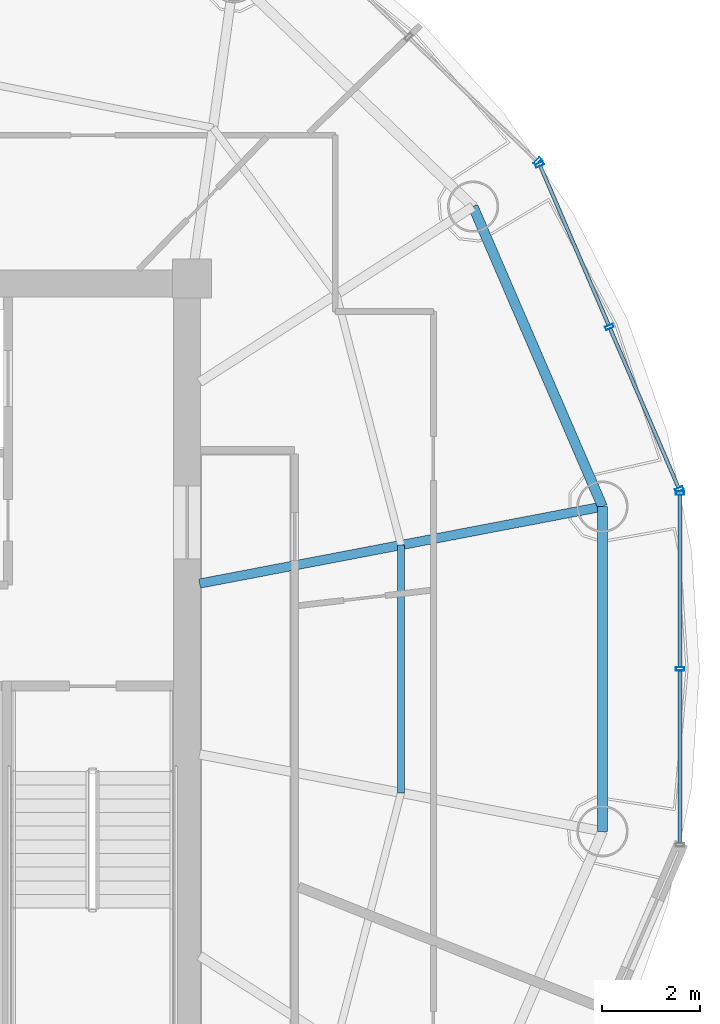
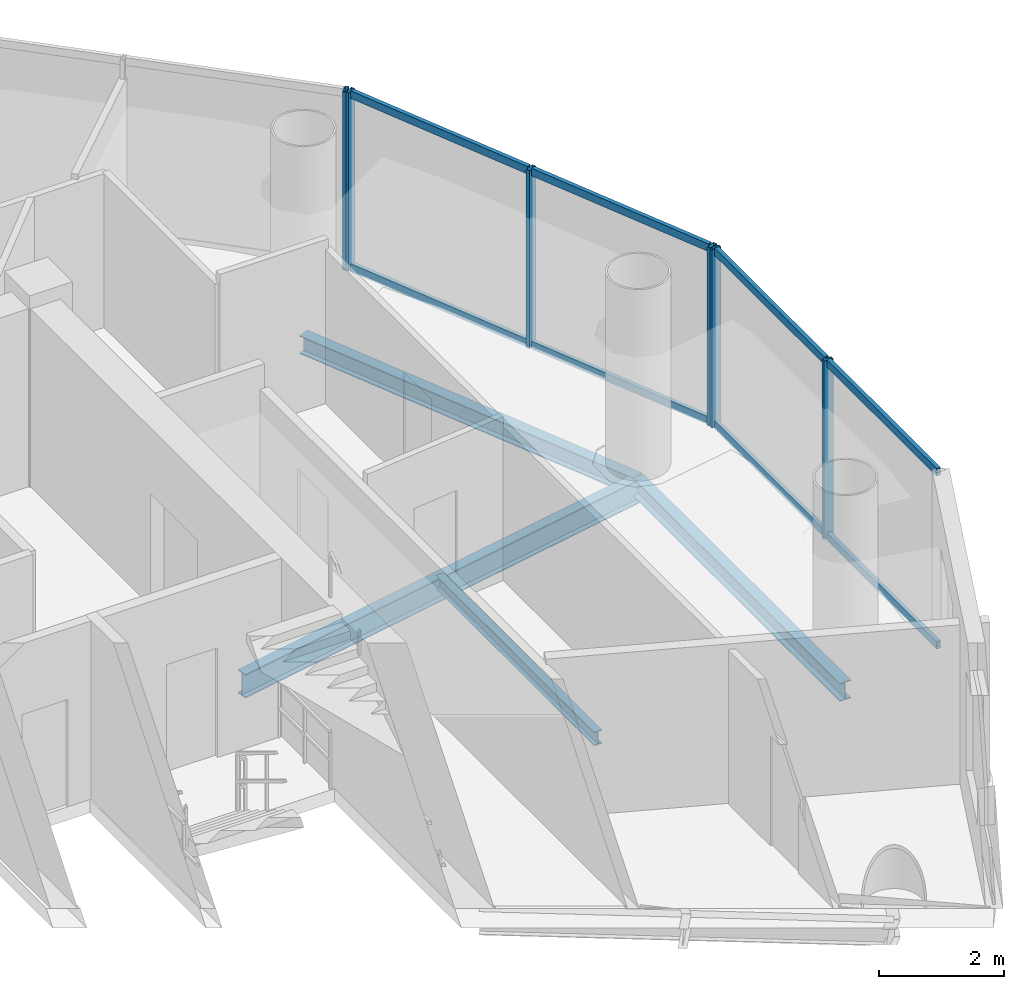
# One storey, part 12 of 24: 14 members, 4 beams, 3 elements without a shape of their own.
"""IFC4 building model written with IfcOpenShell, lengths in metres."""

from ifc_helpers import new_model, si_unit, direction, frame, origin, origin_2d, place, context, subcontext, project, spatial, hollow_rectangle, i_section, extrude, source, transform, mapped, material, material_profile, profile_set, type_object, element, aggregate, save


model = new_model("IFC4")

# Units and contexts
model_context = context("Model", 3, precision=1e-05, world=origin(), true_north=direction((-0.2419218956, 0.970295726276)))
body_context = subcontext(model_context, "Body", "Model", "MODEL_VIEW")
ifc_project = project(units=[si_unit("LENGTHUNIT", "METRE"), si_unit("AREAUNIT", "SQUARE_METRE"), si_unit("VOLUMEUNIT", "CUBIC_METRE"), si_unit("PLANEANGLEUNIT", "RADIAN"), si_unit("MASSUNIT", "GRAM", prefix="KILO")], contexts=[model_context])

# Site, building, storey
site_placement = place(None, origin())
site = spatial("IfcSite", under=ifc_project, at=site_placement, CompositionType="ELEMENT")
building_placement = place(site_placement, origin())
building = spatial("IfcBuilding", under=site, at=building_placement, Name="Cobrevalo Terracotta Tower", CompositionType="ELEMENT")
storey_placement = place(building_placement, frame((0.0, 0.0, 270.699951171875)))
storey = spatial("IfcBuildingStorey", under=building, at=storey_placement, Name="L71", CompositionType="ELEMENT", Elevation=270.699951171875)

# Beams
ifc_material_1 = material(Name="Steel S355", Category="steel")
ifc_material_profile_1 = material_profile(ifc_material_1, i_section(OverallWidth=0.19091796875, OverallDepth=0.4599609375, WebThickness=0.010009765625, FlangeThickness=0.01611328125, at=origin_2d()), Name="W 460x82")
ifc_profile_set_1 = profile_set([ifc_material_profile_1], Name="Steel S355")
beam_type_1 = type_object("IfcBeamType", Name="Structural Beam W 460x82 (Steel S355)", PredefinedType="BEAM", material=ifc_profile_set_1)
beam_1_placement = place(storey_placement, frame((55.408935546875, 30.126220703125, -0.489990234375), z_axis=(-0.982234917636, -0.187655446433, 0.0), x_axis=(0.187655446433, -0.982234917636, 0.0)))
element("IfcBeam", 1, at=beam_1_placement, inside=storey, type_object=beam_type_1, Name="L71 radial floor girder 01", PredefinedType="BEAM", context=body_context, shape_type="SweptSolid", body=[
    extrude(i_section(OverallWidth=0.19091796875, OverallDepth=0.4599609375, WebThickness=0.010009765625, FlangeThickness=0.01611328125, at=origin_2d()), origin(), (0.0, 0.0, 1.0), 8.403076171875),
])
ifc_material_profile_2 = material_profile(ifc_material_1, i_section(OverallWidth=0.14794921875, OverallDepth=0.26611328125, WebThickness=0.007568359375, FlangeThickness=0.012939453125, at=origin_2d()), Name="W 250x44.8")
ifc_profile_set_2 = profile_set([ifc_material_profile_2], Name="Steel S355")
beam_type_2 = type_object("IfcBeamType", Name="Structural Joist W 250x44.8 (Steel S355)", PredefinedType="JOIST", material=ifc_profile_set_2)
beam_2_placement = place(storey_placement, frame((51.281982421875, 24.26220703125, -0.39306640625), z_axis=(0.0, 1.0, 0.0), x_axis=(-1.0, 0.0, 0.0)))
element("IfcBeam", 2, at=beam_2_placement, inside=storey, type_object=beam_type_2, Name="L71 circumferential secondary floor joist 16", PredefinedType="JOIST", context=body_context, shape_type="SweptSolid", body=[
    extrude(i_section(OverallWidth=0.14794921875, OverallDepth=0.26611328125, WebThickness=0.007568359375, FlangeThickness=0.012939453125, at=origin_2d()), origin(), (0.0, 0.0, 1.0), 5.075439453125),
])
ifc_material_profile_3 = material_profile(ifc_material_1, i_section(OverallWidth=0.205078125, OverallDepth=0.35400390625, WebThickness=0.009521484375, FlangeThickness=0.016845703125, at=origin_2d()), Name="W 360x79")
ifc_profile_set_3 = profile_set([ifc_material_profile_3], Name="Steel S355")
beam_type_3 = type_object("IfcBeamType", Name="Structural Spandrel W 360x79 (Steel S355)", PredefinedType="SPANDREL", material=ifc_profile_set_3)
beam_3_placement = place(storey_placement, frame((55.408935546875, 30.126220703125, -0.43701171875), z_axis=(-0.395974127655, 0.918261667624, 0.0), x_axis=(-0.918261667624, -0.395974127655, 0.0)))
element("IfcBeam", 3, at=beam_3_placement, inside=storey, type_object=beam_type_3, Name="L71 perimeter ring spandrel 01", PredefinedType="SPANDREL", context=body_context, shape_type="SweptSolid", body=[
    extrude(i_section(OverallWidth=0.205078125, OverallDepth=0.35400390625, WebThickness=0.009521484375, FlangeThickness=0.016845703125, at=origin_2d()), origin(), (0.0, 0.0, 1.0), 6.693359375),
])
beam_4_placement = place(storey_placement, frame((55.408935546875, 23.4736328125, -0.43701171875), z_axis=(0.0, 1.0, 0.0), x_axis=(-1.0, 0.0, 0.0)))
element("IfcBeam", 4, at=beam_4_placement, inside=storey, type_object=beam_type_3, Name="L71 perimeter ring spandrel 16", PredefinedType="SPANDREL", context=body_context, shape_type="SweptSolid", body=[
    extrude(i_section(OverallWidth=0.205078125, OverallDepth=0.35400390625, WebThickness=0.009521484375, FlangeThickness=0.016845703125, at=origin_2d()), origin(), (0.0, 0.0, 1.0), 6.652587890625),
])

# Curtain wall, members
ifc_material_2 = material(Name="Anodized aluminium", Category="aluminium")
curtain_wall_type = type_object("IfcCurtainWallType", Name="Upper-tower triple-glazed penthouse curtain wall CW-U3", PredefinedType="NOTDEFINED", material=ifc_material_2)
curtain_wall_1_placement = place(storey_placement, origin())
curtain_wall_1 = element("IfcCurtainWall", 5, at=curtain_wall_1_placement, inside=storey, type_object=curtain_wall_type, Name="L71 curtain wall CW-L71-S01", PredefinedType="NOTDEFINED")
ifc_material_profile_4 = material_profile(ifc_material_2, hollow_rectangle(XDim=0.070068359375, YDim=0.169921875, WallThickness=0.00439453125, at=origin_2d()), Name="CWM 70x170")
ifc_profile_set_4 = profile_set([ifc_material_profile_4], Name="Anodized aluminium")
member_type_1 = type_object("IfcMemberType", Name="Upper tower unitised mullion 70x170", PredefinedType="MULLION", material=ifc_profile_set_4)
shared_shape_1 = source(origin(), body_context, "Body", "SweptSolid", [
    extrude(hollow_rectangle(XDim=0.070068359375, YDim=0.169921875, WallThickness=0.00439453125, at=origin_2d()), origin(), (0.0, 0.0, 1.0), 3.489990234375),
])
member_1_placement = place(storey_placement, frame((56.98193359375, 30.47900390625, 0.0), z_axis=(0.0, 0.0, 1.0), x_axis=(-0.39482403454, 0.91875675875, 0.0)))
member_1 = element("IfcMember", 6, at=member_1_placement, type_object=member_type_1, Name="CW-L71-S01 vertical mullion 01", PredefinedType="MULLION", context=body_context, shape_type="MappedRepresentation", body=[
    mapped(shared_shape_1, transform((0.0, 0.0, 0.0), scale=1.0)),
])
member_2_placement = place(storey_placement, frame((55.5517578125, 33.807373046875, 0.0), z_axis=(0.0, 0.0, 1.0), x_axis=(-0.39482403454, 0.91875675875, 0.0)))
member_2 = element("IfcMember", 7, at=member_2_placement, type_object=member_type_1, Name="CW-L71-S01 vertical mullion 02", PredefinedType="MULLION", context=body_context, shape_type="MappedRepresentation", body=[
    mapped(shared_shape_1, transform((0.0, 0.0, 0.0), scale=1.0)),
])
member_3_placement = place(storey_placement, frame((54.121337890625, 37.1357421875, 0.0), z_axis=(0.0, 0.0, 1.0), x_axis=(-0.39482403454, 0.91875675875, 0.0)))
member_3 = element("IfcMember", 8, at=member_3_placement, type_object=member_type_1, Name="CW-L71-S01 vertical mullion 03", PredefinedType="MULLION", context=body_context, shape_type="MappedRepresentation", body=[
    mapped(shared_shape_1, transform((0.0, 0.0, 0.0), scale=1.0)),
])

# Curtain wall, member
curtain_wall_2_placement = place(storey_placement, origin())
curtain_wall_2 = element("IfcCurtainWall", 9, at=curtain_wall_2_placement, inside=storey, type_object=curtain_wall_type, Name="L71 curtain wall CW-L71-S02", PredefinedType="NOTDEFINED")
member_4_placement = place(storey_placement, frame((54.07666015625, 37.2001953125, 0.0), z_axis=(0.0, 0.0, 1.0), x_axis=(-0.71999418085, 0.69398010025, 0.0)))
member_4 = element("IfcMember", 10, at=member_4_placement, type_object=member_type_1, Name="CW-L71-S02 vertical mullion 01", PredefinedType="MULLION", context=body_context, shape_type="MappedRepresentation", body=[
    mapped(shared_shape_1, transform((0.0, 0.0, 0.0), scale=1.0)),
])
aggregate(curtain_wall_2, [member_4])

# Curtain wall, members
curtain_wall_3_placement = place(storey_placement, origin())
curtain_wall_3 = element("IfcCurtainWall", 11, at=curtain_wall_3_placement, inside=storey, type_object=curtain_wall_type, Name="L71 curtain wall CW-L71-S16", PredefinedType="NOTDEFINED")
member_5_placement = place(storey_placement, frame((56.997802734375, 26.800048828125, 0.0), z_axis=(0.0, 0.0, 1.0), x_axis=(0.0, 1.0, 0.0)))
member_5 = element("IfcMember", 12, at=member_5_placement, type_object=member_type_1, Name="CW-L71-S16 vertical mullion 02", PredefinedType="MULLION", context=body_context, shape_type="MappedRepresentation", body=[
    mapped(shared_shape_1, transform((0.0, 0.0, 0.0), scale=1.0)),
])
member_6_placement = place(storey_placement, frame((56.997802734375, 30.40234375, 0.0), z_axis=(0.0, 0.0, 1.0), x_axis=(0.0, 1.0, 0.0)))
member_6 = element("IfcMember", 13, at=member_6_placement, type_object=member_type_1, Name="CW-L71-S16 vertical mullion 03", PredefinedType="MULLION", context=body_context, shape_type="MappedRepresentation", body=[
    mapped(shared_shape_1, transform((0.0, 0.0, 0.0), scale=1.0)),
])

# Member
ifc_material_profile_5 = material_profile(ifc_material_2, hollow_rectangle(XDim=0.074951171875, YDim=0.14990234375, WallThickness=0.00439453125, at=origin_2d()), Name="CWT 75x150")
ifc_profile_set_5 = profile_set([ifc_material_profile_5], Name="Anodized aluminium")
member_type_2 = type_object("IfcMemberType", Name="Tower unitised aluminium transom 75x150", PredefinedType="USERDEFINED", material=ifc_profile_set_5)
shared_shape_2 = source(origin(), body_context, "Body", "SweptSolid", [
    extrude(hollow_rectangle(XDim=0.074951171875, YDim=0.14990234375, WallThickness=0.00439453125, at=origin_2d()), origin(), (0.0, 0.0, 1.0), 3.54248046875),
])
member_7_placement = place(storey_placement, frame((55.535888671875, 33.84423828125, 0.050048828125), z_axis=(-0.394834055841, 0.918752452159, 0.0), x_axis=(-0.918752452159, -0.394834055841, 0.0)))
member_7 = element("IfcMember", 14, at=member_7_placement, type_object=member_type_2, Name="CW-L71-S01 transom B02-T1", ObjectType="TRANSOM", PredefinedType="USERDEFINED", context=body_context, shape_type="MappedRepresentation", body=[
    mapped(shared_shape_2, transform((0.0, 0.0, 0.0), scale=1.0)),
])

member_8_placement = place(storey_placement, frame((55.535888671875, 33.84423828125, 3.43994140625), z_axis=(-0.394834055841, 0.918752452159, 0.0), x_axis=(-0.918752452159, -0.394834055841, 0.0)))
member_8 = element("IfcMember", 15, at=member_8_placement, type_object=member_type_2, Name="CW-L71-S01 transom B02-T2", ObjectType="TRANSOM", PredefinedType="USERDEFINED", context=body_context, shape_type="MappedRepresentation", body=[
    mapped(shared_shape_2, transform((0.0, 0.0, 0.0), scale=1.0)),
])

shared_shape_3 = source(origin(), body_context, "Body", "SweptSolid", [
    extrude(hollow_rectangle(XDim=0.074951171875, YDim=0.14990234375, WallThickness=0.00439453125, at=origin_2d()), origin(), (0.0, 0.0, 1.0), 3.542724609375),
])
member_9_placement = place(storey_placement, frame((56.96630859375, 30.515869140625, 0.050048828125), z_axis=(-0.394867226589, 0.918738196314, 0.0), x_axis=(-0.918738196314, -0.394867226589, 0.0)))
member_9 = element("IfcMember", 16, at=member_9_placement, type_object=member_type_2, Name="CW-L71-S01 transom B01-T1", ObjectType="TRANSOM", PredefinedType="USERDEFINED", context=body_context, shape_type="MappedRepresentation", body=[
    mapped(shared_shape_3, transform((0.0, 0.0, 0.0), scale=1.0)),
])

member_10_placement = place(storey_placement, frame((56.96630859375, 30.515869140625, 3.43994140625), z_axis=(-0.394867226589, 0.918738196314, 0.0), x_axis=(-0.918738196314, -0.394867226589, 0.0)))
member_10 = element("IfcMember", 17, at=member_10_placement, type_object=member_type_2, Name="CW-L71-S01 transom B01-T2", ObjectType="TRANSOM", PredefinedType="USERDEFINED", context=body_context, shape_type="MappedRepresentation", body=[
    mapped(shared_shape_3, transform((0.0, 0.0, 0.0), scale=1.0)),
])

aggregate(curtain_wall_1, [member_1, member_2, member_3, member_9, member_10, member_7, member_8])

shared_shape_4 = source(origin(), body_context, "Body", "SweptSolid", [
    extrude(hollow_rectangle(XDim=0.074951171875, YDim=0.14990234375, WallThickness=0.00439453125, at=origin_2d()), origin(), (0.0, 0.0, 1.0), 3.522216796875),
])
member_11_placement = place(storey_placement, frame((56.997802734375, 26.840087890625, 0.050048828125), z_axis=(0.0, 1.0, 0.0), x_axis=(-1.0, 0.0, 0.0)))
member_11 = element("IfcMember", 18, at=member_11_placement, type_object=member_type_2, Name="CW-L71-S16 transom B02-T1", ObjectType="TRANSOM", PredefinedType="USERDEFINED", context=body_context, shape_type="MappedRepresentation", body=[
    mapped(shared_shape_4, transform((0.0, 0.0, 0.0), scale=1.0)),
])

member_12_placement = place(storey_placement, frame((56.997802734375, 26.840087890625, 3.43994140625), z_axis=(0.0, 1.0, 0.0), x_axis=(-1.0, 0.0, 0.0)))
member_12 = element("IfcMember", 19, at=member_12_placement, type_object=member_type_2, Name="CW-L71-S16 transom B02-T2", ObjectType="TRANSOM", PredefinedType="USERDEFINED", context=body_context, shape_type="MappedRepresentation", body=[
    mapped(shared_shape_4, transform((0.0, 0.0, 0.0), scale=1.0)),
])

shared_shape_5 = source(origin(), body_context, "Body", "SweptSolid", [
    extrude(hollow_rectangle(XDim=0.074951171875, YDim=0.14990234375, WallThickness=0.00439453125, at=origin_2d()), origin(), (0.0, 0.0, 1.0), 3.5224609375),
])
member_13_placement = place(storey_placement, frame((56.997802734375, 23.237548828125, 0.050048828125), z_axis=(0.0, 1.0, 0.0), x_axis=(-1.0, 0.0, 0.0)))
member_13 = element("IfcMember", 20, at=member_13_placement, type_object=member_type_2, Name="CW-L71-S16 transom B01-T1", ObjectType="TRANSOM", PredefinedType="USERDEFINED", context=body_context, shape_type="MappedRepresentation", body=[
    mapped(shared_shape_5, transform((0.0, 0.0, 0.0), scale=1.0)),
])

member_14_placement = place(storey_placement, frame((56.997802734375, 23.237548828125, 3.43994140625), z_axis=(0.0, 1.0, 0.0), x_axis=(-1.0, 0.0, 0.0)))
member_14 = element("IfcMember", 21, at=member_14_placement, type_object=member_type_2, Name="CW-L71-S16 transom B01-T2", ObjectType="TRANSOM", PredefinedType="USERDEFINED", context=body_context, shape_type="MappedRepresentation", body=[
    mapped(shared_shape_5, transform((0.0, 0.0, 0.0), scale=1.0)),
])

aggregate(curtain_wall_3, [member_5, member_6, member_13, member_14, member_11, member_12])

save(model, "model.ifc")
